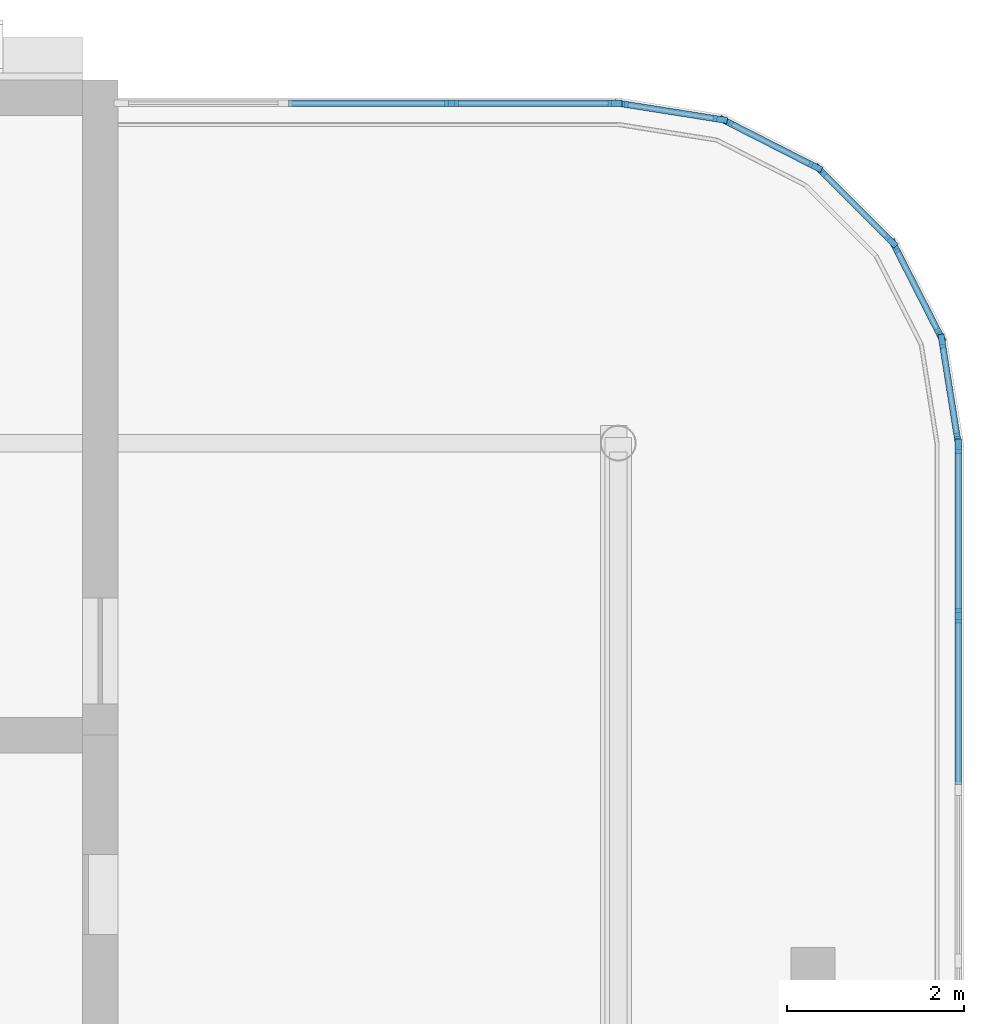
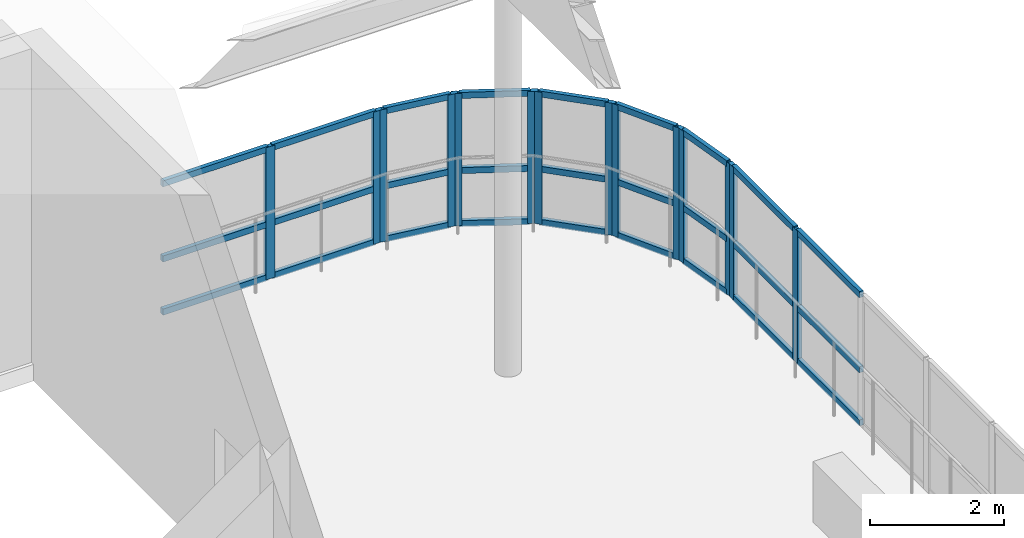
# One storey, part 12 of 19: 41 members, 7 elements without a shape of their own.
"""IFC4 building model written with IfcOpenShell, lengths in metres."""

from ifc_helpers import new_model, si_unit, direction, frame, origin, origin_2d, place, context, subcontext, project, spatial, rectangle, extrude, material, material_profile, profile_set, type_object, element, aggregate, save


model = new_model("IFC4")

# Units and contexts
model_context = context("Model", 3, precision=1e-05, world=origin(), true_north=direction((0.0, 1.0)))
body_context = subcontext(model_context, "Body", "Model", "MODEL_VIEW")
ifc_project = project(units=[si_unit("LENGTHUNIT", "METRE"), si_unit("AREAUNIT", "SQUARE_METRE"), si_unit("VOLUMEUNIT", "CUBIC_METRE"), si_unit("PLANEANGLEUNIT", "RADIAN"), si_unit("MASSUNIT", "GRAM", prefix="KILO")], contexts=[model_context])

# Site, building, storey
site_placement = place(None, origin())
site = spatial("IfcSite", under=ifc_project, at=site_placement, CompositionType="ELEMENT")
building_placement = place(site_placement, origin())
building = spatial("IfcBuilding", under=site, at=building_placement, Name="Ludao Terraces", CompositionType="ELEMENT")
storey_placement = place(building_placement, frame((0.0, 0.0, 266.39990234375)))
storey = spatial("IfcBuildingStorey", under=building, at=storey_placement, Name="L73", CompositionType="ELEMENT", Elevation=266.39990234375)

# Curtain wall, members
ifc_material_1 = material(Name="Aluminium curtain wall with fritted glass", Category="aluminium")
curtain_wall_type = type_object("IfcCurtainWallType", Name="ENV CW6 crown screen glazing", PredefinedType="NOTDEFINED", material=ifc_material_1)
curtain_wall_1_placement = place(storey_placement, origin())
curtain_wall_1 = element("IfcCurtainWall", 1, at=curtain_wall_1_placement, inside=storey, type_object=curtain_wall_type, Name="Deck windscreen E1", PredefinedType="NOTDEFINED")
ifc_material_2 = material(Name="Aluminium 6063-T6", Category="aluminium")
ifc_material_profile_1 = material_profile(ifc_material_2, rectangle(XDim=0.070068359375, YDim=0.159912109375, at=origin_2d()), Name="70 X 160")
ifc_profile_set_1 = profile_set([ifc_material_profile_1], Name="Aluminium 6063-T6")
member_type_1 = type_object("IfcMemberType", Name="ENV CW6 mullion 70x160", PredefinedType="MULLION", material=ifc_profile_set_1)
member_1_placement = place(storey_placement, frame((104.43994140625, 78.64990234375, 0.0), z_axis=(0.0, 0.0, 1.0), x_axis=(-1.0, 0.0, 0.0)))
member_1 = element("IfcMember", 2, at=member_1_placement, type_object=member_type_1, Name="CW6 mullion 16", PredefinedType="MULLION", context=body_context, shape_type="SweptSolid", body=[
    extrude(rectangle(XDim=0.070068359375, YDim=0.159912109375, at=origin_2d()), origin(), (0.0, 0.0, 1.0), 2.400146484375),
])
member_2_placement = place(storey_placement, frame((104.43994140625, 80.56494140625, 0.0), z_axis=(0.0, 0.0, 1.0), x_axis=(-1.0, 0.0, 0.0)))
member_2 = element("IfcMember", 3, at=member_2_placement, type_object=member_type_1, Name="CW6 mullion 17", PredefinedType="MULLION", context=body_context, shape_type="SweptSolid", body=[
    extrude(rectangle(XDim=0.070068359375, YDim=0.159912109375, at=origin_2d()), origin(), (0.0, 0.0, 1.0), 2.400146484375),
])

curtain_wall_2_placement = place(storey_placement, origin())
curtain_wall_2 = element("IfcCurtainWall", 4, at=curtain_wall_2_placement, inside=storey, type_object=curtain_wall_type, Name="Deck windscreen N2", PredefinedType="NOTDEFINED")
member_3_placement = place(storey_placement, frame((98.716552734375, 84.43994140625, 0.0), z_axis=(0.0, 0.0, 1.0), x_axis=(0.0, 1.0, 0.0)))
member_3 = element("IfcMember", 5, at=member_3_placement, type_object=member_type_1, Name="CW6 mullion 3", PredefinedType="MULLION", context=body_context, shape_type="SweptSolid", body=[
    extrude(rectangle(XDim=0.070068359375, YDim=0.159912109375, at=origin_2d()), origin(), (0.0, 0.0, 1.0), 2.400146484375),
])
member_4_placement = place(storey_placement, frame((100.56494140625, 84.43994140625, 0.0), z_axis=(0.0, 0.0, 1.0), x_axis=(0.0, 1.0, 0.0)))
member_4 = element("IfcMember", 6, at=member_4_placement, type_object=member_type_1, Name="CW6 mullion 4", PredefinedType="MULLION", context=body_context, shape_type="SweptSolid", body=[
    extrude(rectangle(XDim=0.070068359375, YDim=0.159912109375, at=origin_2d()), origin(), (0.0, 0.0, 1.0), 2.400146484375),
])

curtain_wall_3_placement = place(storey_placement, origin())
curtain_wall_3 = element("IfcCurtainWall", 7, at=curtain_wall_3_placement, inside=storey, type_object=curtain_wall_type, Name="Deck windscreen NE1", PredefinedType="NOTDEFINED")
member_5_placement = place(storey_placement, frame((104.4345703125, 80.634521484375, 0.0), z_axis=(0.0, 0.0, 1.0), x_axis=(-0.987688332429, -0.1564345166, 0.0)))
member_5 = element("IfcMember", 8, at=member_5_placement, type_object=member_type_1, Name="CW6 mullion 1", PredefinedType="MULLION", context=body_context, shape_type="SweptSolid", body=[
    extrude(rectangle(XDim=0.070068359375, YDim=0.159912109375, at=origin_2d()), origin(), (0.0, 0.0, 1.0), 2.400146484375),
])
member_6_placement = place(storey_placement, frame((104.257568359375, 81.751953125, 0.0), z_axis=(0.0, 0.0, 1.0), x_axis=(-0.987688332429, -0.1564345166, 0.0)))
member_6 = element("IfcMember", 9, at=member_6_placement, type_object=member_type_1, Name="CW6 mullion 2", PredefinedType="MULLION", context=body_context, shape_type="SweptSolid", body=[
    extrude(rectangle(XDim=0.070068359375, YDim=0.159912109375, at=origin_2d()), origin(), (0.0, 0.0, 1.0), 2.400146484375),
])

curtain_wall_4_placement = place(storey_placement, origin())
curtain_wall_4 = element("IfcCurtainWall", 10, at=curtain_wall_4_placement, inside=storey, type_object=curtain_wall_type, Name="Deck windscreen NE2", PredefinedType="NOTDEFINED")
member_7_placement = place(storey_placement, frame((104.236083984375, 81.81787109375, 0.0), z_axis=(0.0, 0.0, 1.0), x_axis=(-0.891006425848, -0.453990692743, 0.0)))
member_7 = element("IfcMember", 11, at=member_7_placement, type_object=member_type_1, Name="CW6 mullion 1", PredefinedType="MULLION", context=body_context, shape_type="SweptSolid", body=[
    extrude(rectangle(XDim=0.070068359375, YDim=0.159912109375, at=origin_2d()), origin(), (0.0, 0.0, 1.0), 2.400146484375),
])
member_8_placement = place(storey_placement, frame((103.722412109375, 82.825927734375, 0.0), z_axis=(0.0, 0.0, 1.0), x_axis=(-0.891006425848, -0.453990692743, 0.0)))
member_8 = element("IfcMember", 12, at=member_8_placement, type_object=member_type_1, Name="CW6 mullion 2", PredefinedType="MULLION", context=body_context, shape_type="SweptSolid", body=[
    extrude(rectangle(XDim=0.070068359375, YDim=0.159912109375, at=origin_2d()), origin(), (0.0, 0.0, 1.0), 2.400146484375),
])

curtain_wall_5_placement = place(storey_placement, origin())
curtain_wall_5 = element("IfcCurtainWall", 13, at=curtain_wall_5_placement, inside=storey, type_object=curtain_wall_type, Name="Deck windscreen NE3", PredefinedType="NOTDEFINED")
member_9_placement = place(storey_placement, frame((103.681884765625, 82.8818359375, 0.0), z_axis=(0.0, 0.0, 1.0), x_axis=(-0.707106781187, -0.707106781187, 0.0)))
member_9 = element("IfcMember", 14, at=member_9_placement, type_object=member_type_1, Name="CW6 mullion 1", PredefinedType="MULLION", context=body_context, shape_type="SweptSolid", body=[
    extrude(rectangle(XDim=0.070068359375, YDim=0.159912109375, at=origin_2d()), origin(), (0.0, 0.0, 1.0), 2.400146484375),
])
member_10_placement = place(storey_placement, frame((102.8818359375, 83.681884765625, 0.0), z_axis=(0.0, 0.0, 1.0), x_axis=(-0.707106781187, -0.707106781187, 0.0)))
member_10 = element("IfcMember", 15, at=member_10_placement, type_object=member_type_1, Name="CW6 mullion 2", PredefinedType="MULLION", context=body_context, shape_type="SweptSolid", body=[
    extrude(rectangle(XDim=0.070068359375, YDim=0.159912109375, at=origin_2d()), origin(), (0.0, 0.0, 1.0), 2.400146484375),
])

curtain_wall_6_placement = place(storey_placement, origin())
curtain_wall_6 = element("IfcCurtainWall", 16, at=curtain_wall_6_placement, inside=storey, type_object=curtain_wall_type, Name="Deck windscreen NE4", PredefinedType="NOTDEFINED")
member_11_placement = place(storey_placement, frame((102.825927734375, 83.722412109375, 0.0), z_axis=(0.0, 0.0, 1.0), x_axis=(-0.453990692743, -0.891006425848, 0.0)))
member_11 = element("IfcMember", 17, at=member_11_placement, type_object=member_type_1, Name="CW6 mullion 1", PredefinedType="MULLION", context=body_context, shape_type="SweptSolid", body=[
    extrude(rectangle(XDim=0.070068359375, YDim=0.159912109375, at=origin_2d()), origin(), (0.0, 0.0, 1.0), 2.400146484375),
])
member_12_placement = place(storey_placement, frame((101.81787109375, 84.236083984375, 0.0), z_axis=(0.0, 0.0, 1.0), x_axis=(-0.453990692743, -0.891006425848, 0.0)))
member_12 = element("IfcMember", 18, at=member_12_placement, type_object=member_type_1, Name="CW6 mullion 2", PredefinedType="MULLION", context=body_context, shape_type="SweptSolid", body=[
    extrude(rectangle(XDim=0.070068359375, YDim=0.159912109375, at=origin_2d()), origin(), (0.0, 0.0, 1.0), 2.400146484375),
])

curtain_wall_7_placement = place(storey_placement, origin())
curtain_wall_7 = element("IfcCurtainWall", 19, at=curtain_wall_7_placement, inside=storey, type_object=curtain_wall_type, Name="Deck windscreen NE5", PredefinedType="NOTDEFINED")
member_13_placement = place(storey_placement, frame((101.751953125, 84.257568359375, 0.0), z_axis=(0.0, 0.0, 1.0), x_axis=(-0.1564345166, -0.987688332429, 0.0)))
member_13 = element("IfcMember", 20, at=member_13_placement, type_object=member_type_1, Name="CW6 mullion 1", PredefinedType="MULLION", context=body_context, shape_type="SweptSolid", body=[
    extrude(rectangle(XDim=0.070068359375, YDim=0.159912109375, at=origin_2d()), origin(), (0.0, 0.0, 1.0), 2.400146484375),
])
member_14_placement = place(storey_placement, frame((100.634521484375, 84.4345703125, 0.0), z_axis=(0.0, 0.0, 1.0), x_axis=(-0.1564345166, -0.987688332429, 0.0)))
member_14 = element("IfcMember", 21, at=member_14_placement, type_object=member_type_1, Name="CW6 mullion 2", PredefinedType="MULLION", context=body_context, shape_type="SweptSolid", body=[
    extrude(rectangle(XDim=0.070068359375, YDim=0.159912109375, at=origin_2d()), origin(), (0.0, 0.0, 1.0), 2.400146484375),
])

# Member
ifc_material_profile_2 = material_profile(ifc_material_2, rectangle(XDim=0.070068359375, YDim=0.110107421875, at=origin_2d()), Name="70 X 110")
ifc_profile_set_2 = profile_set([ifc_material_profile_2], Name="Aluminium 6063-T6")
member_type_2 = type_object("IfcMemberType", Name="ENV CW6 transom 70x110", PredefinedType="USERDEFINED", material=ifc_profile_set_2)
member_15_placement = place(storey_placement, frame((104.43994140625, 76.735107421875, 0.03515625), z_axis=(0.0, 1.0, 0.0), x_axis=(-1.0, 0.0, 0.0)))
member_15 = element("IfcMember", 22, at=member_15_placement, type_object=member_type_2, Name="CW6 transom 15.1", ObjectType="TRANSOM", PredefinedType="USERDEFINED", context=body_context, shape_type="SweptSolid", body=[
    extrude(rectangle(XDim=0.070068359375, YDim=0.110107421875, at=origin_2d()), origin(), (0.0, 0.0, 1.0), 1.8798828125),
])

member_16_placement = place(storey_placement, frame((104.43994140625, 76.735107421875, 1.0), z_axis=(0.0, 1.0, 0.0), x_axis=(-1.0, 0.0, 0.0)))
member_16 = element("IfcMember", 23, at=member_16_placement, type_object=member_type_2, Name="CW6 transom 15.2", ObjectType="TRANSOM", PredefinedType="USERDEFINED", context=body_context, shape_type="SweptSolid", body=[
    extrude(rectangle(XDim=0.070068359375, YDim=0.110107421875, at=origin_2d()), origin(), (0.0, 0.0, 1.0), 1.8798828125),
])

member_17_placement = place(storey_placement, frame((104.43994140625, 76.735107421875, 2.364990234375), z_axis=(0.0, 1.0, 0.0), x_axis=(-1.0, 0.0, 0.0)))
member_17 = element("IfcMember", 24, at=member_17_placement, type_object=member_type_2, Name="CW6 transom 15.3", ObjectType="TRANSOM", PredefinedType="USERDEFINED", context=body_context, shape_type="SweptSolid", body=[
    extrude(rectangle(XDim=0.070068359375, YDim=0.110107421875, at=origin_2d()), origin(), (0.0, 0.0, 1.0), 1.8798828125),
])

member_18_placement = place(storey_placement, frame((104.43994140625, 78.68505859375, 0.03515625), z_axis=(0.0, 1.0, 0.0), x_axis=(-1.0, 0.0, 0.0)))
member_18 = element("IfcMember", 25, at=member_18_placement, type_object=member_type_2, Name="CW6 transom 16.1", ObjectType="TRANSOM", PredefinedType="USERDEFINED", context=body_context, shape_type="SweptSolid", body=[
    extrude(rectangle(XDim=0.070068359375, YDim=0.110107421875, at=origin_2d()), origin(), (0.0, 0.0, 1.0), 1.844970703125),
])

member_19_placement = place(storey_placement, frame((104.43994140625, 78.68505859375, 1.0), z_axis=(0.0, 1.0, 0.0), x_axis=(-1.0, 0.0, 0.0)))
member_19 = element("IfcMember", 26, at=member_19_placement, type_object=member_type_2, Name="CW6 transom 16.2", ObjectType="TRANSOM", PredefinedType="USERDEFINED", context=body_context, shape_type="SweptSolid", body=[
    extrude(rectangle(XDim=0.070068359375, YDim=0.110107421875, at=origin_2d()), origin(), (0.0, 0.0, 1.0), 1.844970703125),
])

member_20_placement = place(storey_placement, frame((104.43994140625, 78.68505859375, 2.364990234375), z_axis=(0.0, 1.0, 0.0), x_axis=(-1.0, 0.0, 0.0)))
member_20 = element("IfcMember", 27, at=member_20_placement, type_object=member_type_2, Name="CW6 transom 16.3", ObjectType="TRANSOM", PredefinedType="USERDEFINED", context=body_context, shape_type="SweptSolid", body=[
    extrude(rectangle(XDim=0.070068359375, YDim=0.110107421875, at=origin_2d()), origin(), (0.0, 0.0, 1.0), 1.844970703125),
])

aggregate(curtain_wall_1, [member_1, member_2, member_15, member_16, member_17, member_18, member_19, member_20])

member_21_placement = place(storey_placement, frame((96.868408203125, 84.43994140625, 0.03515625), z_axis=(1.0, 0.0, 0.0), x_axis=(0.0, 1.0, 0.0)))
member_21 = element("IfcMember", 28, at=member_21_placement, type_object=member_type_2, Name="CW6 transom 2.1", ObjectType="TRANSOM", PredefinedType="USERDEFINED", context=body_context, shape_type="SweptSolid", body=[
    extrude(rectangle(XDim=0.070068359375, YDim=0.110107421875, at=origin_2d()), origin(), (0.0, 0.0, 1.0), 1.813232421875),
])

member_22_placement = place(storey_placement, frame((96.868408203125, 84.43994140625, 1.0), z_axis=(1.0, 0.0, 0.0), x_axis=(0.0, 1.0, 0.0)))
member_22 = element("IfcMember", 29, at=member_22_placement, type_object=member_type_2, Name="CW6 transom 2.2", ObjectType="TRANSOM", PredefinedType="USERDEFINED", context=body_context, shape_type="SweptSolid", body=[
    extrude(rectangle(XDim=0.070068359375, YDim=0.110107421875, at=origin_2d()), origin(), (0.0, 0.0, 1.0), 1.813232421875),
])

member_23_placement = place(storey_placement, frame((96.868408203125, 84.43994140625, 2.364990234375), z_axis=(1.0, 0.0, 0.0), x_axis=(0.0, 1.0, 0.0)))
member_23 = element("IfcMember", 30, at=member_23_placement, type_object=member_type_2, Name="CW6 transom 2.3", ObjectType="TRANSOM", PredefinedType="USERDEFINED", context=body_context, shape_type="SweptSolid", body=[
    extrude(rectangle(XDim=0.070068359375, YDim=0.110107421875, at=origin_2d()), origin(), (0.0, 0.0, 1.0), 1.813232421875),
])

member_24_placement = place(storey_placement, frame((98.751708984375, 84.43994140625, 0.03515625), z_axis=(1.0, 0.0, 0.0), x_axis=(0.0, 1.0, 0.0)))
member_24 = element("IfcMember", 31, at=member_24_placement, type_object=member_type_2, Name="CW6 transom 3.1", ObjectType="TRANSOM", PredefinedType="USERDEFINED", context=body_context, shape_type="SweptSolid", body=[
    extrude(rectangle(XDim=0.070068359375, YDim=0.110107421875, at=origin_2d()), origin(), (0.0, 0.0, 1.0), 1.7783203125),
])

member_25_placement = place(storey_placement, frame((98.751708984375, 84.43994140625, 1.0), z_axis=(1.0, 0.0, 0.0), x_axis=(0.0, 1.0, 0.0)))
member_25 = element("IfcMember", 32, at=member_25_placement, type_object=member_type_2, Name="CW6 transom 3.2", ObjectType="TRANSOM", PredefinedType="USERDEFINED", context=body_context, shape_type="SweptSolid", body=[
    extrude(rectangle(XDim=0.070068359375, YDim=0.110107421875, at=origin_2d()), origin(), (0.0, 0.0, 1.0), 1.7783203125),
])

member_26_placement = place(storey_placement, frame((98.751708984375, 84.43994140625, 2.364990234375), z_axis=(1.0, 0.0, 0.0), x_axis=(0.0, 1.0, 0.0)))
member_26 = element("IfcMember", 33, at=member_26_placement, type_object=member_type_2, Name="CW6 transom 3.3", ObjectType="TRANSOM", PredefinedType="USERDEFINED", context=body_context, shape_type="SweptSolid", body=[
    extrude(rectangle(XDim=0.070068359375, YDim=0.110107421875, at=origin_2d()), origin(), (0.0, 0.0, 1.0), 1.7783203125),
])

aggregate(curtain_wall_2, [member_3, member_4, member_21, member_22, member_23, member_24, member_25, member_26])

member_27_placement = place(storey_placement, frame((104.428955078125, 80.669189453125, 0.03515625), z_axis=(-0.156411400898, 0.98769199332, 0.0), x_axis=(-0.98769199332, -0.156411400898, 0.0)))
member_27 = element("IfcMember", 34, at=member_27_placement, type_object=member_type_2, Name="CW6 transom 1.1", ObjectType="TRANSOM", PredefinedType="USERDEFINED", context=body_context, shape_type="SweptSolid", body=[
    extrude(rectangle(XDim=0.070068359375, YDim=0.110107421875, at=origin_2d()), origin(), (0.0, 0.0, 1.0), 1.0615234375),
])

member_28_placement = place(storey_placement, frame((104.428955078125, 80.669189453125, 1.0), z_axis=(-0.156411400898, 0.98769199332, 0.0), x_axis=(-0.98769199332, -0.156411400898, 0.0)))
member_28 = element("IfcMember", 35, at=member_28_placement, type_object=member_type_2, Name="CW6 transom 1.2", ObjectType="TRANSOM", PredefinedType="USERDEFINED", context=body_context, shape_type="SweptSolid", body=[
    extrude(rectangle(XDim=0.070068359375, YDim=0.110107421875, at=origin_2d()), origin(), (0.0, 0.0, 1.0), 1.0615234375),
])

member_29_placement = place(storey_placement, frame((104.428955078125, 80.669189453125, 2.364990234375), z_axis=(-0.156411400898, 0.98769199332, 0.0), x_axis=(-0.98769199332, -0.156411400898, 0.0)))
member_29 = element("IfcMember", 36, at=member_29_placement, type_object=member_type_2, Name="CW6 transom 1.3", ObjectType="TRANSOM", PredefinedType="USERDEFINED", context=body_context, shape_type="SweptSolid", body=[
    extrude(rectangle(XDim=0.070068359375, YDim=0.110107421875, at=origin_2d()), origin(), (0.0, 0.0, 1.0), 1.0615234375),
])

aggregate(curtain_wall_3, [member_5, member_6, member_27, member_28, member_29])

member_30_placement = place(storey_placement, frame((104.22021484375, 81.848876953125, 0.03515625), z_axis=(-0.453825852637, 0.891090396917, 0.0), x_axis=(-0.891090396917, -0.453825852637, 0.0)))
member_30 = element("IfcMember", 37, at=member_30_placement, type_object=member_type_2, Name="CW6 transom 1.1", ObjectType="TRANSOM", PredefinedType="USERDEFINED", context=body_context, shape_type="SweptSolid", body=[
    extrude(rectangle(XDim=0.070068359375, YDim=0.110107421875, at=origin_2d()), origin(), (0.0, 0.0, 1.0), 1.061279296875),
])

member_31_placement = place(storey_placement, frame((104.22021484375, 81.848876953125, 1.0), z_axis=(-0.453825852637, 0.891090396917, 0.0), x_axis=(-0.891090396917, -0.453825852637, 0.0)))
member_31 = element("IfcMember", 38, at=member_31_placement, type_object=member_type_2, Name="CW6 transom 1.2", ObjectType="TRANSOM", PredefinedType="USERDEFINED", context=body_context, shape_type="SweptSolid", body=[
    extrude(rectangle(XDim=0.070068359375, YDim=0.110107421875, at=origin_2d()), origin(), (0.0, 0.0, 1.0), 1.061279296875),
])

member_32_placement = place(storey_placement, frame((104.22021484375, 81.848876953125, 2.364990234375), z_axis=(-0.453825852637, 0.891090396917, 0.0), x_axis=(-0.891090396917, -0.453825852637, 0.0)))
member_32 = element("IfcMember", 39, at=member_32_placement, type_object=member_type_2, Name="CW6 transom 1.3", ObjectType="TRANSOM", PredefinedType="USERDEFINED", context=body_context, shape_type="SweptSolid", body=[
    extrude(rectangle(XDim=0.070068359375, YDim=0.110107421875, at=origin_2d()), origin(), (0.0, 0.0, 1.0), 1.061279296875),
])

aggregate(curtain_wall_4, [member_7, member_8, member_30, member_31, member_32])

member_33_placement = place(storey_placement, frame((103.6572265625, 82.906494140625, 0.03515625), z_axis=(-0.707106781187, 0.707106781187, 0.0), x_axis=(-0.707106781187, -0.707106781187, 0.0)))
member_33 = element("IfcMember", 40, at=member_33_placement, type_object=member_type_2, Name="CW6 transom 1.1", ObjectType="TRANSOM", PredefinedType="USERDEFINED", context=body_context, shape_type="SweptSolid", body=[
    extrude(rectangle(XDim=0.070068359375, YDim=0.110107421875, at=origin_2d()), origin(), (0.0, 0.0, 1.0), 1.061767578125),
])

member_34_placement = place(storey_placement, frame((103.6572265625, 82.906494140625, 1.0), z_axis=(-0.707106781187, 0.707106781187, 0.0), x_axis=(-0.707106781187, -0.707106781187, 0.0)))
member_34 = element("IfcMember", 41, at=member_34_placement, type_object=member_type_2, Name="CW6 transom 1.2", ObjectType="TRANSOM", PredefinedType="USERDEFINED", context=body_context, shape_type="SweptSolid", body=[
    extrude(rectangle(XDim=0.070068359375, YDim=0.110107421875, at=origin_2d()), origin(), (0.0, 0.0, 1.0), 1.061767578125),
])

member_35_placement = place(storey_placement, frame((103.6572265625, 82.906494140625, 2.364990234375), z_axis=(-0.707106781187, 0.707106781187, 0.0), x_axis=(-0.707106781187, -0.707106781187, 0.0)))
member_35 = element("IfcMember", 42, at=member_35_placement, type_object=member_type_2, Name="CW6 transom 1.3", ObjectType="TRANSOM", PredefinedType="USERDEFINED", context=body_context, shape_type="SweptSolid", body=[
    extrude(rectangle(XDim=0.070068359375, YDim=0.110107421875, at=origin_2d()), origin(), (0.0, 0.0, 1.0), 1.061767578125),
])

aggregate(curtain_wall_5, [member_9, member_10, member_33, member_34, member_35])

member_36_placement = place(storey_placement, frame((102.794677734375, 83.738525390625, 0.03515625), z_axis=(-0.891090396917, 0.453825852637, 0.0), x_axis=(-0.453825852637, -0.891090396917, 0.0)))
member_36 = element("IfcMember", 43, at=member_36_placement, type_object=member_type_2, Name="CW6 transom 1.1", ObjectType="TRANSOM", PredefinedType="USERDEFINED", context=body_context, shape_type="SweptSolid", body=[
    extrude(rectangle(XDim=0.070068359375, YDim=0.110107421875, at=origin_2d()), origin(), (0.0, 0.0, 1.0), 1.061279296875),
])

member_37_placement = place(storey_placement, frame((102.794677734375, 83.738525390625, 1.0), z_axis=(-0.891090396917, 0.453825852637, 0.0), x_axis=(-0.453825852637, -0.891090396917, 0.0)))
member_37 = element("IfcMember", 44, at=member_37_placement, type_object=member_type_2, Name="CW6 transom 1.2", ObjectType="TRANSOM", PredefinedType="USERDEFINED", context=body_context, shape_type="SweptSolid", body=[
    extrude(rectangle(XDim=0.070068359375, YDim=0.110107421875, at=origin_2d()), origin(), (0.0, 0.0, 1.0), 1.061279296875),
])

member_38_placement = place(storey_placement, frame((102.794677734375, 83.738525390625, 2.364990234375), z_axis=(-0.891090396917, 0.453825852637, 0.0), x_axis=(-0.453825852637, -0.891090396917, 0.0)))
member_38 = element("IfcMember", 45, at=member_38_placement, type_object=member_type_2, Name="CW6 transom 1.3", ObjectType="TRANSOM", PredefinedType="USERDEFINED", context=body_context, shape_type="SweptSolid", body=[
    extrude(rectangle(XDim=0.070068359375, YDim=0.110107421875, at=origin_2d()), origin(), (0.0, 0.0, 1.0), 1.061279296875),
])

aggregate(curtain_wall_6, [member_11, member_12, member_36, member_37, member_38])

member_39_placement = place(storey_placement, frame((101.717529296875, 84.262939453125, 0.03515625), z_axis=(-0.98769199332, 0.156411400898, 0.0), x_axis=(-0.156411400898, -0.98769199332, 0.0)))
member_39 = element("IfcMember", 46, at=member_39_placement, type_object=member_type_2, Name="CW6 transom 1.1", ObjectType="TRANSOM", PredefinedType="USERDEFINED", context=body_context, shape_type="SweptSolid", body=[
    extrude(rectangle(XDim=0.070068359375, YDim=0.110107421875, at=origin_2d()), origin(), (0.0, 0.0, 1.0), 1.0615234375),
])

member_40_placement = place(storey_placement, frame((101.717529296875, 84.262939453125, 1.0), z_axis=(-0.98769199332, 0.156411400898, 0.0), x_axis=(-0.156411400898, -0.98769199332, 0.0)))
member_40 = element("IfcMember", 47, at=member_40_placement, type_object=member_type_2, Name="CW6 transom 1.2", ObjectType="TRANSOM", PredefinedType="USERDEFINED", context=body_context, shape_type="SweptSolid", body=[
    extrude(rectangle(XDim=0.070068359375, YDim=0.110107421875, at=origin_2d()), origin(), (0.0, 0.0, 1.0), 1.0615234375),
])

member_41_placement = place(storey_placement, frame((101.717529296875, 84.262939453125, 2.364990234375), z_axis=(-0.98769199332, 0.156411400898, 0.0), x_axis=(-0.156411400898, -0.98769199332, 0.0)))
member_41 = element("IfcMember", 48, at=member_41_placement, type_object=member_type_2, Name="CW6 transom 1.3", ObjectType="TRANSOM", PredefinedType="USERDEFINED", context=body_context, shape_type="SweptSolid", body=[
    extrude(rectangle(XDim=0.070068359375, YDim=0.110107421875, at=origin_2d()), origin(), (0.0, 0.0, 1.0), 1.0615234375),
])

aggregate(curtain_wall_7, [member_13, member_14, member_39, member_40, member_41])

save(model, "model.ifc")
